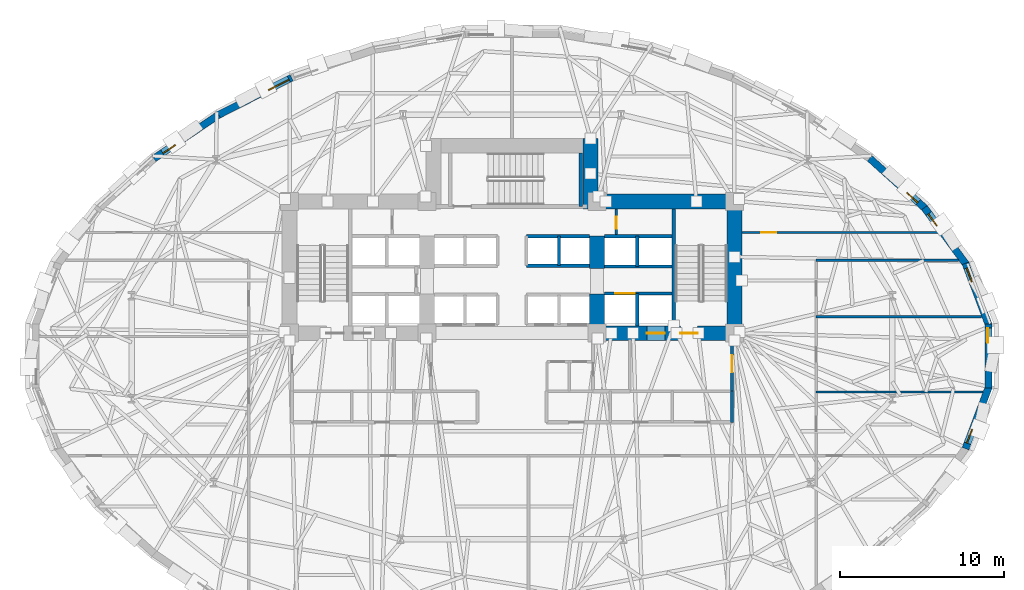
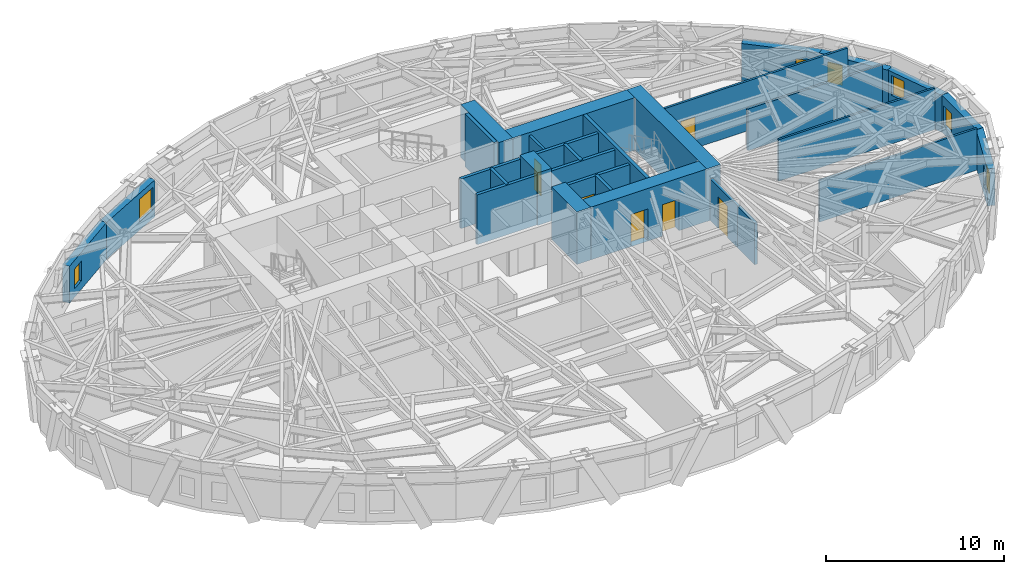
# One storey, part 9 of 14: 30 walls, 7 windows, 6 doors, 13 openings.
"""IFC4 building model written with IfcOpenShell, lengths in metres."""

import ifcopenshell
import ifcopenshell.guid

model = None  # the IFC model being written
_history = None  # IfcOwnerHistory: only IFC2X3 demands one
_inside = {}  # id of a spatial element -> (the spatial element, [elements in it])
_under = {}  # id of a project, library or spatial element -> (it, [spatial elements below it])
_declared = {}  # id of a project -> (the project, [libraries it declares])
_typed = {}  # id of a type object -> (the type object, [elements of that type])
_made_of = {}  # id of a material, layer set ... -> (it, [elements and type objects made of it])


def new_model(schema):
    """Start an empty IFC model of exactly this schema.

    Asked for "IFC4X3", IfcOpenShell would pick the latest addendum, in which some entities
    have other attributes; the version numbers below select the first issue.
    IFC2X3 requires an IfcOwnerHistory on every rooted entity: one is made here for all.
    """
    global model, _history
    if schema == "IFC4X3":
        model = ifcopenshell.file(schema_version=(4, 3, 0, 0))
    else:
        model = ifcopenshell.file(schema=schema)
    _inside.clear()
    _under.clear()
    _declared.clear()
    _typed.clear()
    _made_of.clear()
    _history = None
    if model.schema == "IFC2X3":
        org = make("IfcOrganization", Name="unknown")
        user = make(
            "IfcPersonAndOrganization",
            ThePerson=make("IfcPerson", FamilyName="unknown"),
            TheOrganization=org,
        )
        app = make(
            "IfcApplication",
            ApplicationDeveloper=org,
            Version="unknown",
            ApplicationFullName="unknown",
            ApplicationIdentifier="unknown",
        )
        _history = make(
            "IfcOwnerHistory",
            OwningUser=user,
            OwningApplication=app,
            ChangeAction="ADDED",
            CreationDate=0,
        )
    return model


def make(cls, **values):
    """One entity of the class cls with the attributes given. An attribute that is None is left unset."""
    return model.create_entity(
        cls, **{name: value for name, value in values.items() if value is not None}
    )


def rooted(cls, **values):
    """An entity with a GlobalId (a new one), such as an element, a storey or a relation."""
    return make(cls, GlobalId=ifcopenshell.guid.new(), OwnerHistory=_history, **values)


def si_unit(unit_type, name, prefix=None):
    """IfcSIUnit, for example si_unit("LENGTHUNIT", "METRE", prefix="MILLI")."""
    return make("IfcSIUnit", UnitType=unit_type, Prefix=prefix, Name=name)


def assignment(units):
    """IfcUnitAssignment: the units of a project."""
    return None if units is None else make("IfcUnitAssignment", Units=units)


def point(xyz):
    """IfcCartesianPoint."""
    return None if xyz is None else make("IfcCartesianPoint", Coordinates=xyz)


def direction(xyz):
    """IfcDirection."""
    return None if xyz is None else make("IfcDirection", DirectionRatios=xyz)


def frame(location, z_axis=None, x_axis=None):
    """IfcAxis2Placement3D, a coordinate frame: its origin and axes. An axis left out is left unset."""
    return make(
        "IfcAxis2Placement3D",
        Location=point(location),
        Axis=direction(z_axis),
        RefDirection=direction(x_axis),
    )


def frame_2d(location, x_axis=None):
    """IfcAxis2Placement2D, a coordinate frame in the plane: its origin and x axis."""
    return make(
        "IfcAxis2Placement2D", Location=point(location), RefDirection=direction(x_axis)
    )


def origin():
    """The frame at (0, 0, 0) with its axes left unset."""
    return frame((0.0, 0.0, 0.0))


def place(relative_to, where):
    """IfcLocalPlacement: puts the frame where relative to a parent placement (None: the world)."""
    return make(
        "IfcLocalPlacement", PlacementRelTo=relative_to, RelativePlacement=where
    )


def context(
    kind, dimensions, precision=None, world=None, true_north=None, identifier=None
):
    """IfcGeometricRepresentationContext, for example the 3D "Model" context."""
    return make(
        "IfcGeometricRepresentationContext",
        ContextIdentifier=identifier,
        ContextType=kind,
        CoordinateSpaceDimension=dimensions,
        Precision=precision,
        WorldCoordinateSystem=world,
        TrueNorth=true_north,
    )


def subcontext(parent, identifier, kind, view, scale=None):
    """IfcGeometricRepresentationSubContext, for example "Body" below "Model"."""
    return make(
        "IfcGeometricRepresentationSubContext",
        ContextIdentifier=identifier,
        ContextType=kind,
        ParentContext=parent,
        TargetScale=scale,
        TargetView=view,
    )


def project(units=None, contexts=None):
    """IfcProject with its units and contexts."""
    return rooted(
        "IfcProject",
        Name="project",
        RepresentationContexts=contexts,
        UnitsInContext=assignment(units),
    )


def spatial(cls, under=None, at=None, **own):
    """A site, building, storey or space (cls), placed at a placement, below another one or the project."""
    s = rooted(cls, ObjectPlacement=at, **own)
    if under is not None:
        _under.setdefault(under.id(), (under, []))[1].append(s)
    return s


def profile(cls, at=None, kind="AREA", **sizes):
    """A parametric profile (cls). Its sizes go by their IFC names, for example OverallWidth=200.0."""
    return make(cls, ProfileType=kind, Position=at, **sizes)


def rectangle(**sizes):
    """IfcRectangleProfileDef."""
    return profile("IfcRectangleProfileDef", **sizes)


def extrude(swept, where, along, depth):
    """IfcExtrudedAreaSolid: the profile swept, set in the frame where, extruded along a direction by depth."""
    return make(
        "IfcExtrudedAreaSolid",
        SweptArea=swept,
        Position=where,
        ExtrudedDirection=direction(along),
        Depth=depth,
    )


def shape(context_of_items, identifier, shape_type, items):
    """IfcShapeRepresentation: the items that make up one representation, for example the "Body"."""
    return make(
        "IfcShapeRepresentation",
        ContextOfItems=context_of_items,
        RepresentationIdentifier=identifier,
        RepresentationType=shape_type,
        Items=items,
    )


def material(Name=None, Category=None):
    """IfcMaterial."""
    return make("IfcMaterial", Name=Name, Category=Category)


def layer(
    of_material, thickness, ventilated=None, Name=None, Category=None, Priority=None
):
    """IfcMaterialLayer: one layer of a wall or slab, of a material (None: an air gap)."""
    return make(
        "IfcMaterialLayer",
        Material=of_material,
        LayerThickness=thickness,
        IsVentilated=ventilated,
        Name=Name,
        Category=Category,
        Priority=Priority,
    )


def layer_set(layers, Name=None):
    """IfcMaterialLayerSet."""
    return make("IfcMaterialLayerSet", MaterialLayers=layers, LayerSetName=Name)


def made_of(thing, what):
    """Note that an element or type object is made of a material, layer set ...; save() writes the relation."""
    if what is not None:
        _made_of.setdefault(what.id(), (what, []))[1].append(thing)
    return thing


def type_object(cls, material=None, **own):
    """A type object (cls), such as IfcWallType, which elements share."""
    return made_of(rooted(cls, **own), material)


def element(
    cls,
    number,
    at=None,
    inside=None,
    cuts=None,
    type_object=None,
    material=None,
    context=None,
    identifier="Body",
    shape_type=None,
    held_by="IfcProductDefinitionShape",
    body=None,
    shapes=None,
    **own,
):
    """One element of the class cls, such as IfcWall. Its Tag is "e" and its number.

    at: its placement. inside: the storey or other place that contains it. cuts: it is an
    opening in that element (IfcRelVoidsElement). A single representation is given by context,
    identifier, shape_type and body (its items); several are given by shapes. held_by: the class
    of the entity that holds the representations. save() writes the other relations.
    """
    e = rooted(cls, Tag="e%d" % number, ObjectPlacement=at, **own)
    if body is not None:
        shapes = [shape(context, identifier, shape_type, body)]
    if shapes is not None:
        e.Representation = make(held_by, Representations=shapes)
    if inside is not None:
        _inside.setdefault(inside.id(), (inside, []))[1].append(e)
    if cuts is not None:
        rooted(
            "IfcRelVoidsElement", RelatingBuildingElement=cuts, RelatedOpeningElement=e
        )
    if type_object is not None:
        _typed.setdefault(type_object.id(), (type_object, []))[1].append(e)
    return made_of(e, material)


def fill(opening, filler):
    """IfcRelFillsElement: the door or window that sits in an opening."""
    return rooted(
        "IfcRelFillsElement",
        RelatingOpeningElement=opening,
        RelatedBuildingElement=filler,
    )


def aggregate(whole, parts):
    """IfcRelAggregates: a whole, such as a stair, and the parts it consists of."""
    return rooted("IfcRelAggregates", RelatingObject=whole, RelatedObjects=parts)


def save(model, path):
    """Write the relations noted so far, then the file.

    IfcRelAggregates (storeys below a building ...), IfcRelContainedInSpatialStructure (elements
    in a storey), IfcRelDefinesByType, IfcRelAssociatesMaterial and IfcRelDeclares: one each for
    every whole, place, type object, material and project.
    """
    for whole, parts in _under.values():
        aggregate(whole, parts)
    for where, things in _inside.values():
        rooted(
            "IfcRelContainedInSpatialStructure",
            RelatedElements=things,
            RelatingStructure=where,
        )
    for kind, things in _typed.values():
        rooted("IfcRelDefinesByType", RelatedObjects=things, RelatingType=kind)
    for what, things in _made_of.values():
        rooted("IfcRelAssociatesMaterial", RelatedObjects=things, RelatingMaterial=what)
    for by, libraries in _declared.values():
        rooted("IfcRelDeclares", RelatingContext=by, RelatedDefinitions=libraries)
    model.write(path)


model = new_model("IFC4")

# Units and contexts
model_context = context("Model", 3, precision=1e-05, world=origin(), true_north=direction((0.0, 1.0)))
body_context = subcontext(model_context, "Body", "Model", "MODEL_VIEW")
ifc_project = project(units=[si_unit("LENGTHUNIT", "METRE"), si_unit("AREAUNIT", "SQUARE_METRE"), si_unit("VOLUMEUNIT", "CUBIC_METRE"), si_unit("PLANEANGLEUNIT", "RADIAN"), si_unit("MASSUNIT", "GRAM", prefix="KILO")], contexts=[model_context])

# Site, building, storey
site_placement = place(None, origin())
site = spatial("IfcSite", under=ifc_project, at=site_placement, CompositionType="ELEMENT")
building_placement = place(site_placement, origin())
building = spatial("IfcBuilding", under=site, at=building_placement, Name="Keldmark Tower", CompositionType="ELEMENT")
storey_placement = place(building_placement, frame((0.0, 0.0, 63.0)))
storey = spatial("IfcBuildingStorey", under=building, at=storey_placement, Name="L16", CompositionType="ELEMENT", Elevation=63.0)

# Wall, opening, door
ifc_material_1 = material(Name="Acoustic Double-Layer Gypsum Corridor Partition", Category="gypsum")
ifc_layer_1 = layer(ifc_material_1, 0.139892578125)
ifc_layer_set_1 = layer_set([ifc_layer_1], Name="Acoustic Double-Layer Gypsum Corridor Partition")
wall_type_1 = type_object("IfcWallType", Name="Acoustic Corridor Partition 140 mm", PredefinedType="PARTITIONING", material=ifc_layer_set_1)
wall_1_placement = place(storey_placement, frame((14.050048828125, 7.550048828125, 0.0), z_axis=(0.0, 0.0, 1.0), x_axis=(1.0, 0.0, 0.0)))
wall_1 = element("IfcWall", 1, at=wall_1_placement, inside=storey, type_object=wall_type_1, Name="L16 Acoustic Corridor Partition 140 mm COR-EN-CAP", PredefinedType="PARTITIONING", context=body_context, shape_type="SweptSolid", body=[
    extrude(rectangle(XDim=12.001708984375, YDim=0.139892578125, at=frame_2d((6.0009765625, 0.0))), origin(), (0.0, 0.0, 1.0), 3.39990234375),
])
opening_1_placement = place(wall_1_placement, frame((1.199951171875, 0.0, 0.0)))
opening_1 = element("IfcOpeningElement", 2, at=opening_1_placement, cuts=wall_1, Name="Opening D-EX092", PredefinedType="OPENING", context=body_context, shape_type="SweptSolid", body=[
    extrude(rectangle(XDim=0.919921875, YDim=2.14990234375, at=frame_2d((0.4599609375, 1.074951171875))), frame((0.0, 0.079833984375, 0.0), z_axis=(0.0, -1.0, 0.0), x_axis=(1.0, 0.0, 0.0)), (0.0, 0.0, 1.0), 0.159912109375),
])
ifc_material_2 = material(Name="Flush American Ash Executive Office Door", Category="wood")
door_type_1 = type_object("IfcDoorType", Name="Executive Office Door 920x2150", OperationType="NOTDEFINED", PredefinedType="DOOR", material=ifc_material_2)
door_1_placement = place(opening_1_placement, origin())
door_1 = element("IfcDoor", 3, at=door_1_placement, inside=storey, type_object=door_type_1, Name="L16 Executive Office Door 920x2150 D-NRNE-L16", OperationType="SINGLE_SWING_RIGHT", OverallHeight=2.14990234375, OverallWidth=0.919921875, PredefinedType="DOOR", context=body_context, shape_type="SweptSolid", body=[
    extrude(rectangle(XDim=0.919921875, YDim=2.14990234375, at=frame_2d((0.4599609375, 1.074951171875))), frame((0.0, 0.02490234375, 0.0), z_axis=(0.0, -1.0, 0.0), x_axis=(1.0, 0.0, 0.0)), (0.0, 0.0, 1.0), 0.050048828125),
])
fill(opening_1, door_1)

# Walls
wall_2_placement = place(storey_placement, frame((18.60009765625, 5.85009765625, 0.0), z_axis=(0.0, 0.0, 1.0), x_axis=(1.0, 0.0, 0.0)))
element("IfcWall", 4, at=wall_2_placement, inside=storey, type_object=wall_type_1, Name="L16 Acoustic Corridor Partition 140 mm COR-EA-S", PredefinedType="PARTITIONING", context=body_context, shape_type="SweptSolid", body=[
    extrude(rectangle(XDim=8.701171875, YDim=0.139892578125, at=frame_2d((4.3505859375, 0.0))), origin(), (0.0, 0.0, 1.0), 2.85302734375),
])
ifc_material_3 = material(Name="Heavy Acoustic Plumbing Chase Gypsum Assembly", Category="gypsum")
ifc_layer_2 = layer(ifc_material_3, 0.18994140625)
ifc_layer_set_2 = layer_set([ifc_layer_2], Name="Heavy Acoustic Plumbing Chase Gypsum Assembly")
wall_type_2 = type_object("IfcWallType", Name="Heavy Wet Wall 190 mm", PredefinedType="PLUMBINGWALL", material=ifc_layer_set_2)
wall_3_placement = place(storey_placement, frame((13.449951171875, -4.050048828125, 0.0), z_axis=(0.0, 0.0, 1.0), x_axis=(0.0, 1.0, 0.0)))
element("IfcWall", 5, at=wall_3_placement, inside=storey, type_object=wall_type_2, Name="L16 Heavy Wet Wall 190 mm SPK-E-E", PredefinedType="PLUMBINGWALL", context=body_context, shape_type="SweptSolid", body=[
    extrude(rectangle(XDim=1.900146484375, YDim=0.18994140625, at=frame_2d((0.9501953125, 0.0))), origin(), (0.0, 0.0, 1.0), 2.85302734375),
])
ifc_material_4 = material(Name="Acoustic Gypsum Board Interior Partition", Category="gypsum")
ifc_layer_3 = layer(ifc_material_4, 0.1298828125)
ifc_layer_set_3 = layer_set([ifc_layer_3], Name="Acoustic Gypsum Board Interior Partition")
wall_type_3 = type_object("IfcWallType", Name="Interior Partition 130 mm", PredefinedType="PARTITIONING", material=ifc_layer_set_3)
wall_4_placement = place(storey_placement, frame((18.60009765625, -2.199951171875, 0.0), z_axis=(0.0, 0.0, 1.0), x_axis=(1.0, 0.0, 0.0)))
element("IfcWall", 6, at=wall_4_placement, inside=storey, type_object=wall_type_3, Name="L16 Interior Partition 130 mm E-DIV-1", PredefinedType="PARTITIONING", context=body_context, shape_type="SweptSolid", body=[
    extrude(rectangle(XDim=10.192138671875, YDim=0.1298828125, at=frame_2d((5.09619140625, 0.0))), origin(), (0.0, 0.0, 1.0), 2.841064453125),
])
wall_5_placement = place(storey_placement, frame((18.60009765625, 2.39990234375, 0.0), z_axis=(0.0, 0.0, 1.0), x_axis=(1.0, 0.0, 0.0)))
element("IfcWall", 7, at=wall_5_placement, inside=storey, type_object=wall_type_3, Name="L16 Interior Partition 130 mm E-DIV-2", PredefinedType="PARTITIONING", context=body_context, shape_type="SweptSolid", body=[
    extrude(rectangle(XDim=10.11669921875, YDim=0.1298828125, at=frame_2d((5.058349609375, 0.0))), origin(), (0.0, 0.0, 1.0), 2.841064453125),
])
ifc_material_5 = material(Name="Concrete C70/85", Category="concrete")
ifc_layer_4 = layer(ifc_material_5, 0.89990234375)
ifc_layer_set_4 = layer_set([ifc_layer_4], Name="Concrete C70/85")
wall_type_4 = type_object("IfcWallType", Name="Lower Core Shear Wall 900 mm", PredefinedType="SHEAR", material=ifc_layer_set_4)
wall_6_placement = place(storey_placement, frame((13.60009765625, 0.949951171875, 0.0), z_axis=(0.0, 0.0, 1.0), x_axis=(0.0, 1.0, 0.0)))
element("IfcWall", 8, at=wall_6_placement, inside=storey, type_object=wall_type_4, Name="L16 East Core Outer Shear Wall", PredefinedType="SHEAR", context=body_context, shape_type="SweptSolid", body=[
    extrude(rectangle(XDim=8.949951171875, YDim=0.89990234375, at=frame_2d((4.47509765625, 0.0))), origin(), (0.0, 0.0, 1.0), 3.60009765625),
])
wall_7_placement = place(storey_placement, frame((4.35009765625, 9.449951171875, 0.0), z_axis=(0.0, 0.0, 1.0), x_axis=(1.0, 0.0, 0.0)))
element("IfcWall", 9, at=wall_7_placement, inside=storey, type_object=wall_type_4, Name="L16 East Core North Shear Wall", PredefinedType="SHEAR", context=body_context, shape_type="SweptSolid", body=[
    extrude(rectangle(XDim=9.699951171875, YDim=0.89990234375, at=frame_2d((4.85009765625, 0.0))), origin(), (0.0, 0.0, 1.0), 3.60009765625),
])

# Wall, openings, doors
wall_8_placement = place(storey_placement, frame((14.050048828125, 1.39990234375, 0.0), z_axis=(0.0, 0.0, 1.0), x_axis=(-1.0, 0.0, 0.0)))
wall_8 = element("IfcWall", 10, at=wall_8_placement, inside=storey, type_object=wall_type_4, Name="L16 East Core South Shear Wall", PredefinedType="SHEAR", context=body_context, shape_type="SweptSolid", body=[
    extrude(rectangle(XDim=9.300048828125, YDim=0.89990234375, at=frame_2d((4.64990234375, 0.0))), origin(), (0.0, 0.0, 1.0), 3.60009765625),
])
opening_2_placement = place(wall_8_placement, frame((2.699951171875, 0.0, 0.0)))
opening_2 = element("IfcOpeningElement", 11, at=opening_2_placement, cuts=wall_8, Name="Opening D-ST105", PredefinedType="OPENING", context=body_context, shape_type="SweptSolid", body=[
    extrude(rectangle(XDim=1.050048828125, YDim=2.14990234375, at=frame_2d((0.52490234375, 1.074951171875))), frame((0.0, 0.4599609375, 0.0), z_axis=(0.0, -1.0, 0.0), x_axis=(1.0, 0.0, 0.0)), (0.0, 0.0, 1.0), 0.919921875),
])
opening_3_placement = place(wall_8_placement, frame((4.699951171875, 0.0, 0.0)))
opening_3 = element("IfcOpeningElement", 12, at=opening_3_placement, cuts=wall_8, Name="Opening LD-110", PredefinedType="OPENING", context=body_context, shape_type="SweptSolid", body=[
    extrude(rectangle(XDim=1.10009765625, YDim=2.199951171875, at=frame_2d((0.550048828125, 1.10009765625))), frame((0.0, 0.4599609375, 0.0), z_axis=(0.0, -1.0, 0.0), x_axis=(1.0, 0.0, 0.0)), (0.0, 0.0, 1.0), 0.919921875),
])
ifc_material_6 = material(Name="Brushed Bronze Hoistway Sliding Leaf", Category="metal")
door_type_2 = type_object("IfcDoorType", Name="Lift Landing Sliding Door 1100x2200", OperationType="SLIDING_TO_LEFT", PredefinedType="DOOR", material=ifc_material_6)
door_2_placement = place(opening_3_placement, origin())
door_2 = element("IfcDoor", 13, at=door_2_placement, inside=storey, type_object=door_type_2, Name="L16 Lift Landing Sliding Door 1100x2200 LD-EL-FS2-L16", OperationType="SLIDING_TO_LEFT", OverallHeight=2.199951171875, OverallWidth=1.10009765625, PredefinedType="DOOR", context=body_context, shape_type="SweptSolid", body=[
    extrude(rectangle(XDim=1.10009765625, YDim=2.199951171875, at=frame_2d((0.550048828125, 1.10009765625))), frame((0.0, 0.02490234375, 0.0), z_axis=(0.0, -1.0, 0.0), x_axis=(1.0, 0.0, 0.0)), (0.0, 0.0, 1.0), 0.050048828125),
])
fill(opening_3, door_2)
ifc_material_7 = material(Name="Hollow Metal Fire-Rated Door Assembly", Category="metal")
door_type_3 = type_object("IfcDoorType", Name="Stair Fire Door 1050x2150", OperationType="NOTDEFINED", PredefinedType="DOOR", material=ifc_material_7)
door_3_placement = place(opening_2_placement, origin())
door_3 = element("IfcDoor", 14, at=door_3_placement, inside=storey, type_object=door_type_3, Name="L16 Stair Fire Door 1050x2150 D-ST2-L16", OperationType="SINGLE_SWING_LEFT", OverallHeight=2.14990234375, OverallWidth=1.050048828125, PredefinedType="DOOR", context=body_context, shape_type="SweptSolid", body=[
    extrude(rectangle(XDim=1.050048828125, YDim=2.14990234375, at=frame_2d((0.52490234375, 1.074951171875))), frame((0.0, 0.02490234375, 0.0), z_axis=(0.0, -1.0, 0.0), x_axis=(1.0, 0.0, 0.0)), (0.0, 0.0, 1.0), 0.050048828125),
])
fill(opening_2, door_3)

# Walls
wall_9_placement = place(storey_placement, frame((5.199951171875, 0.949951171875, 0.0), z_axis=(0.0, 0.0, 1.0), x_axis=(0.0, 1.0, 0.0)))
element("IfcWall", 15, at=wall_9_placement, inside=storey, type_object=wall_type_4, Name="L16 East Core Inner Shear Pier South", PredefinedType="SHEAR", context=body_context, shape_type="SweptSolid", body=[
    extrude(rectangle(XDim=2.85009765625, YDim=0.89990234375, at=frame_2d((1.425048828125, 0.0))), origin(), (0.0, 0.0, 1.0), 3.60009765625),
])
wall_10_placement = place(storey_placement, frame((5.199951171875, 5.35009765625, 0.0), z_axis=(0.0, 0.0, 1.0), x_axis=(0.0, 1.0, 0.0)))
element("IfcWall", 16, at=wall_10_placement, inside=storey, type_object=wall_type_4, Name="L16 East Core Inner Shear Pier North", PredefinedType="SHEAR", context=body_context, shape_type="SweptSolid", body=[
    extrude(rectangle(XDim=2.0, YDim=0.89990234375, at=frame_2d((1.0, 0.0))), origin(), (0.0, 0.0, 1.0), 3.60009765625),
])
wall_11_placement = place(storey_placement, frame((4.800048828125, 9.0, 0.0), z_axis=(0.0, 0.0, 1.0), x_axis=(0.0, 1.0, 0.0)))
element("IfcWall", 17, at=wall_11_placement, inside=storey, type_object=wall_type_4, Name="L16 North Core East Shear Wall", PredefinedType="SHEAR", context=body_context, shape_type="SweptSolid", body=[
    extrude(rectangle(XDim=4.300048828125, YDim=0.89990234375, at=frame_2d((2.14990234375, 0.0))), origin(), (0.0, 0.0, 1.0), 3.60009765625),
])

# Wall, opening, door
ifc_material_8 = material(Name="Type X Fire-Rated Gypsum Partition Assembly", Category="gypsum")
ifc_layer_5 = layer(ifc_material_8, 0.1650390625)
ifc_layer_set_5 = layer_set([ifc_layer_5], Name="Type X Fire-Rated Gypsum Partition Assembly")
wall_type_5 = type_object("IfcWallType", Name="Rated Partition 165 mm", PredefinedType="PARTITIONING", material=ifc_layer_set_5)
wall_12_placement = place(storey_placement, frame((13.449951171875, -2.14990234375, 0.0), z_axis=(0.0, 0.0, 1.0), x_axis=(0.0, 1.0, 0.0)))
wall_12 = element("IfcWall", 18, at=wall_12_placement, inside=storey, type_object=wall_type_5, Name="L16 Rated Partition 165 mm FSAE-E-E", PredefinedType="PARTITIONING", context=body_context, shape_type="SweptSolid", body=[
    extrude(rectangle(XDim=3.14990234375, YDim=0.1650390625, at=frame_2d((1.574951171875, 0.0))), origin(), (0.0, 0.0, 1.0), 2.85302734375),
])
opening_4_placement = place(wall_12_placement, frame((1.14990234375, 0.0, 0.0)))
opening_4 = element("IfcOpeningElement", 19, at=opening_4_placement, cuts=wall_12, Name="Opening D-FL105", PredefinedType="OPENING", context=body_context, shape_type="SweptSolid", body=[
    extrude(rectangle(XDim=1.050048828125, YDim=2.14990234375, at=frame_2d((0.52490234375, 1.074951171875))), frame((0.0, 0.092529296875, 0.0), z_axis=(0.0, -1.0, 0.0), x_axis=(1.0, 0.0, 0.0)), (0.0, 0.0, 1.0), 0.18505859375),
])
ifc_material_9 = material(Name="Fire-Rated Mineral-Core Door and Vision Lite", Category="metal")
door_type_4 = type_object("IfcDoorType", Name="Fire Lobby Door 1050x2150", OperationType="NOTDEFINED", PredefinedType="DOOR", material=ifc_material_9)
door_4_placement = place(opening_4_placement, origin())
door_4 = element("IfcDoor", 20, at=door_4_placement, inside=storey, type_object=door_type_4, Name="L16 Fire Lobby Door 1050x2150 D-FSAEE-OUT-L16", OperationType="SINGLE_SWING_LEFT", OverallHeight=2.14990234375, OverallWidth=1.050048828125, PredefinedType="DOOR", context=body_context, shape_type="SweptSolid", body=[
    extrude(rectangle(XDim=1.050048828125, YDim=2.14990234375, at=frame_2d((0.52490234375, 1.074951171875))), frame((0.0, 0.02490234375, 0.0), z_axis=(0.0, -1.0, 0.0), x_axis=(1.0, 0.0, 0.0)), (0.0, 0.0, 1.0), 0.050048828125),
])
fill(opening_4, door_4)

wall_13_placement = place(storey_placement, frame((6.3798828125, 7.419921875, 0.0), z_axis=(0.0, 0.0, 1.0), x_axis=(0.0, 1.0, 0.0)))
wall_13 = element("IfcWall", 21, at=wall_13_placement, inside=storey, type_object=wall_type_5, Name="L16 Rated Partition 165 mm CS-NE-W", PredefinedType="PARTITIONING", context=body_context, shape_type="SweptSolid", body=[
    extrude(rectangle(XDim=1.580078125, YDim=0.1650390625, at=frame_2d((0.7900390625, 0.0))), origin(), (0.0, 0.0, 1.0), 3.39990234375),
])
opening_5_placement = place(wall_13_placement, frame((0.35009765625, 0.0, 0.0)))
opening_5 = element("IfcOpeningElement", 22, at=opening_5_placement, cuts=wall_13, Name="Opening D-RS075", PredefinedType="OPENING", context=body_context, shape_type="SweptSolid", body=[
    extrude(rectangle(XDim=0.75, YDim=2.10009765625, at=frame_2d((0.375, 1.050048828125))), frame((0.0, 0.092529296875, 0.0), z_axis=(0.0, -1.0, 0.0), x_axis=(1.0, 0.0, 0.0)), (0.0, 0.0, 1.0), 0.18505859375),
])
ifc_material_10 = material(Name="Galvanized Fire-Rated Access Leaf", Category="metal")
door_type_5 = type_object("IfcDoorType", Name="Riser Access Door 750x2100", OperationType="NOTDEFINED", PredefinedType="DOOR", material=ifc_material_10)
door_5_placement = place(opening_5_placement, origin())
door_5 = element("IfcDoor", 23, at=door_5_placement, inside=storey, type_object=door_type_5, Name="L16 Riser Access Door 750x2100 D-CSNE1-L16", OperationType="SINGLE_SWING_LEFT", OverallHeight=2.10009765625, OverallWidth=0.75, PredefinedType="DOOR", context=body_context, shape_type="SweptSolid", body=[
    extrude(rectangle(XDim=0.75, YDim=2.10009765625, at=frame_2d((0.375, 1.050048828125))), frame((0.0, 0.02490234375, 0.0), z_axis=(0.0, -1.0, 0.0), x_axis=(1.0, 0.0, 0.0)), (0.0, 0.0, 1.0), 0.050048828125),
])
fill(opening_5, door_5)

ifc_material_11 = material(Name="Fire-Resistant Type X Gypsum Shaftliner Coreboard", Category="gypsum")
ifc_layer_6 = layer(ifc_material_11, 0.199951171875)
ifc_layer_set_6 = layer_set([ifc_layer_6], Name="Fire-Resistant Type X Gypsum Shaftliner Coreboard")
wall_type_6 = type_object("IfcWallType", Name="Shaft Wall 200 mm", PredefinedType="SOLIDWALL", material=ifc_layer_set_6)
wall_14_placement = place(storey_placement, frame((5.64990234375, 3.820068359375, 0.0), z_axis=(0.0, 0.0, 1.0), x_axis=(1.0, 0.0, 0.0)))
wall_14 = element("IfcWall", 24, at=wall_14_placement, inside=storey, type_object=wall_type_6, Name="L16 Shaft Wall 200 mm HW-E-S", PredefinedType="SOLIDWALL", context=body_context, shape_type="SweptSolid", body=[
    extrude(rectangle(XDim=4.130126953125, YDim=0.199951171875, at=frame_2d((2.06494140625, 0.0))), origin(), (0.0, 0.0, 1.0), 3.39990234375),
])
opening_6_placement = place(wall_14_placement, frame((0.64990234375, 0.0, 0.0)))
opening_6 = element("IfcOpeningElement", 25, at=opening_6_placement, cuts=wall_14, Name="Opening LD-120", PredefinedType="OPENING", context=body_context, shape_type="SweptSolid", body=[
    extrude(rectangle(XDim=1.199951171875, YDim=2.199951171875, at=frame_2d((0.60009765625, 1.10009765625))), frame((0.0, 0.10986328125, 0.0), z_axis=(0.0, -1.0, 0.0), x_axis=(1.0, 0.0, 0.0)), (0.0, 0.0, 1.0), 0.219970703125),
])
ifc_material_12 = material(Name="Heavy-Duty Brushed Metal Hoistway Sliding Leaf", Category="metal")
door_type_6 = type_object("IfcDoorType", Name="Service Lift Sliding Door 1200x2200", OperationType="SLIDING_TO_RIGHT", PredefinedType="DOOR", material=ifc_material_12)
door_6_placement = place(opening_6_placement, origin())
door_6 = element("IfcDoor", 26, at=door_6_placement, inside=storey, type_object=door_type_6, Name="L16 Service Lift Sliding Door 1200x2200 LD-EL-SV1-L16", OperationType="SLIDING_TO_RIGHT", OverallHeight=2.199951171875, OverallWidth=1.199951171875, PredefinedType="DOOR", context=body_context, shape_type="SweptSolid", body=[
    extrude(rectangle(XDim=1.199951171875, YDim=2.199951171875, at=frame_2d((0.60009765625, 1.10009765625))), frame((0.0, 0.02490234375, 0.0), z_axis=(0.0, -1.0, 0.0), x_axis=(1.0, 0.0, 0.0)), (0.0, 0.0, 1.0), 0.050048828125),
])
fill(opening_6, door_6)

# Walls
wall_15_placement = place(storey_placement, frame((7.64990234375, 1.85009765625, 0.0), z_axis=(0.0, 0.0, 1.0), x_axis=(0.0, 1.0, 0.0)))
element("IfcWall", 27, at=wall_15_placement, inside=storey, type_object=wall_type_6, Name="L16 Shaft Wall 200 mm HW-E-M", PredefinedType="SOLIDWALL", context=body_context, shape_type="SweptSolid", body=[
    extrude(rectangle(XDim=1.969970703125, YDim=0.199951171875, at=frame_2d((0.98486328125, 0.0))), origin(), (0.0, 0.0, 1.0), 3.39990234375),
])
for number, where, z_axis, x_axis, name in (
    (28, (5.64990234375, 5.469970703125, 0.0), (0.0, 0.0, 1.0), (1.0, 0.0, 0.0), "L16 Shaft Wall 200 mm HW-E-N"),
    (29, (5.64990234375, 7.330078125, 0.0), (0.0, 0.0, 1.0), (1.0, 0.0, 0.0), "L16 Shaft Wall 200 mm HW-E-TOP"),
):
    element("IfcWall", number, at=place(storey_placement, frame(where, z_axis=z_axis, x_axis=x_axis)), inside=storey, type_object=wall_type_6, Name=name, PredefinedType="SOLIDWALL", context=body_context, shape_type="SweptSolid", body=[
        extrude(rectangle(XDim=4.130126953125, YDim=0.199951171875, at=frame_2d((2.06494140625, 0.0))), origin(), (0.0, 0.0, 1.0), 3.39990234375),
    ])
wall_16_placement = place(storey_placement, frame((7.64990234375, 5.469970703125, 0.0), z_axis=(0.0, 0.0, 1.0), x_axis=(0.0, 1.0, 0.0)))
element("IfcWall", 30, at=wall_16_placement, inside=storey, type_object=wall_type_6, Name="L16 Shaft Wall 200 mm HW-E-NM", PredefinedType="SOLIDWALL", context=body_context, shape_type="SweptSolid", body=[
    extrude(rectangle(XDim=1.860107421875, YDim=0.199951171875, at=frame_2d((0.93017578125, 0.0))), origin(), (0.0, 0.0, 1.0), 3.39990234375),
])
for number, where, z_axis, x_axis, name in (
    (31, (0.8798828125, 5.52001953125, 0.0), (0.0, 0.0, 1.0), (1.0, 0.0, 0.0), "L16 Shaft Wall 200 mm MID-S-E"),
    (32, (0.8798828125, 7.330078125, 0.0), (0.0, 0.0, 1.0), (1.0, 0.0, 0.0), "L16 Shaft Wall 200 mm MID-N-E"),
):
    element("IfcWall", number, at=place(storey_placement, frame(where, z_axis=z_axis, x_axis=x_axis)), inside=storey, type_object=wall_type_6, Name=name, PredefinedType="SOLIDWALL", context=body_context, shape_type="SweptSolid", body=[
        extrude(rectangle(XDim=3.860107421875, YDim=0.199951171875, at=frame_2d((1.93017578125, 0.0))), origin(), (0.0, 0.0, 1.0), 3.39990234375),
    ])
wall_17_placement = place(storey_placement, frame((2.8798828125, 5.52001953125, 0.0), z_axis=(0.0, 0.0, 1.0), x_axis=(0.0, 1.0, 0.0)))
element("IfcWall", 33, at=wall_17_placement, inside=storey, type_object=wall_type_6, Name="L16 Shaft Wall 200 mm MID-M-E", PredefinedType="SOLIDWALL", context=body_context, shape_type="SweptSolid", body=[
    extrude(rectangle(XDim=1.81005859375, YDim=0.199951171875, at=frame_2d((0.905029296875, 0.0))), origin(), (0.0, 0.0, 1.0), 3.39990234375),
])
ifc_material_13 = material(Name="Concrete C50/60", Category="concrete")
ifc_layer_7 = layer(ifc_material_13, 0.219970703125)
ifc_layer_set_7 = layer_set([ifc_layer_7], Name="Concrete C50/60")
wall_type_7 = type_object("IfcWallType", Name="Stair Core Shear Wall 220 mm", PredefinedType="SHEAR", material=ifc_layer_set_7)
wall_18_placement = place(storey_placement, frame((9.889892578125, 1.85009765625, 0.0), z_axis=(0.0, 0.0, 1.0), x_axis=(0.0, 1.0, 0.0)))
element("IfcWall", 34, at=wall_18_placement, inside=storey, type_object=wall_type_7, Name="L16 East Stair Core Shear Wall", PredefinedType="SHEAR", context=body_context, shape_type="SweptSolid", body=[
    extrude(rectangle(XDim=7.14990234375, YDim=0.219970703125, at=frame_2d((3.574951171875, 0.0))), origin(), (0.0, 0.0, 1.0), 3.60009765625),
])
wall_19_placement = place(storey_placement, frame((4.215087890625, 9.139892578125, 0.0), z_axis=(0.0, 0.0, 1.0), x_axis=(0.0, 1.0, 0.0)))
element("IfcWall", 35, at=wall_19_placement, inside=storey, type_object=wall_type_7, Name="L16 Central Stair Core East Shear Wall", PredefinedType="SHEAR", context=body_context, shape_type="SweptSolid", body=[
    extrude(rectangle(XDim=3.260009765625, YDim=0.219970703125, at=frame_2d((1.6298828125, 0.0))), origin(), (0.0, 0.0, 1.0), 3.60009765625),
])

# Wall, opening, window
ifc_material_14 = material(Name="Ironspot Manganese Brick and Kasota Buff Limestone Spandrel Assembly", Category="masonry")
ifc_layer_8 = layer(ifc_material_14, 0.43994140625)
ifc_layer_set_8 = layer_set([ifc_layer_8], Name="Ironspot Manganese Brick and Kasota Buff Limestone Spandrel Assembly")
wall_type_8 = type_object("IfcWallType", Name="Tower Brick Pier and Spandrel Wall 440 mm", PredefinedType="STANDARD", material=ifc_layer_set_8)
wall_20_placement = place(storey_placement, frame((27.728515625, 5.667724609375, 0.0), z_axis=(0.0, 0.0, 1.0), x_axis=(0.352750180024, -0.935717537771, 0.0)))
wall_20 = element("IfcWall", 36, at=wall_20_placement, inside=storey, type_object=wall_type_8, Name="L16 Exterior Brick and Spandrel Wall 01", PredefinedType="STANDARD", context=body_context, shape_type="SweptSolid", body=[
    extrude(rectangle(XDim=4.044677734375, YDim=0.43994140625, at=frame_2d((2.0224609375, 0.0))), origin(), (0.0, 0.0, 1.0), 2.529052734375),
])
opening_7_placement = place(wall_20_placement, frame((0.2998046875, 0.0, 0.919921875)))
opening_7 = element("IfcOpeningElement", 37, at=opening_7_placement, cuts=wall_20, Name="Opening W-09", PredefinedType="OPENING", context=body_context, shape_type="SweptSolid", body=[
    extrude(rectangle(XDim=0.89990234375, YDim=1.35009765625, at=frame_2d((0.449951171875, 0.675048828125))), frame((0.0, 0.22998046875, 0.0), z_axis=(0.0, -1.0, 0.0), x_axis=(1.0, 0.0, 0.0)), (0.0, 0.0, 1.0), 0.4599609375),
])
ifc_material_15 = material(Name="Thermally Broken Anodized Aluminum and Triple Low-E Argon Glazing", Category="aluminium")
window_type_1 = type_object("IfcWindowType", Name="Corner Pier Deep-Set Window 900x1350", PartitioningType="SINGLE_PANEL", PredefinedType="WINDOW", material=ifc_material_15)
window_1_placement = place(opening_7_placement, origin())
window_1 = element("IfcWindow", 38, at=window_1_placement, inside=storey, type_object=window_type_1, Name="L16 Deep-Set Window 01", OverallHeight=1.35009765625, OverallWidth=0.89990234375, PartitioningType="SINGLE_PANEL", PredefinedType="WINDOW", context=body_context, shape_type="SweptSolid", body=[
    extrude(rectangle(XDim=0.89990234375, YDim=1.35009765625, at=frame_2d((0.449951171875, 0.675048828125))), frame((0.0, -0.010009765625, 0.0), z_axis=(0.0, -1.0, 0.0), x_axis=(1.0, 0.0, 0.0)), (0.0, 0.0, 1.0), 0.06005859375),
])
fill(opening_7, window_1)

wall_21_placement = place(storey_placement, frame((25.2158203125, 9.072265625, 0.0), z_axis=(0.0, 0.0, 1.0), x_axis=(0.592261182237, -0.80574604685, 0.0)))
wall_21 = element("IfcWall", 39, at=wall_21_placement, inside=storey, type_object=wall_type_8, Name="L16 Exterior Brick and Spandrel Wall 02", PredefinedType="STANDARD", context=body_context, shape_type="SweptSolid", body=[
    extrude(rectangle(XDim=4.290771484375, YDim=0.43994140625, at=frame_2d((2.1455078125, 0.0))), origin(), (0.0, 0.0, 1.0), 2.529052734375),
])
opening_8_placement = place(wall_21_placement, frame((0.44921875, 0.0, 0.580078125)))
opening_8 = element("IfcOpeningElement", 40, at=opening_8_placement, cuts=wall_21, Name="Opening W-09", PredefinedType="OPENING", context=body_context, shape_type="SweptSolid", body=[
    extrude(rectangle(XDim=0.89990234375, YDim=1.35009765625, at=frame_2d((0.449951171875, 0.675048828125))), frame((0.0, 0.22998046875, 0.0), z_axis=(0.0, -1.0, 0.0), x_axis=(1.0, 0.0, 0.0)), (0.0, 0.0, 1.0), 0.4599609375),
])
window_2_placement = place(opening_8_placement, origin())
window_2 = element("IfcWindow", 41, at=window_2_placement, inside=storey, type_object=window_type_1, Name="L16 Deep-Set Window 02", OverallHeight=1.35009765625, OverallWidth=0.89990234375, PartitioningType="SINGLE_PANEL", PredefinedType="WINDOW", context=body_context, shape_type="SweptSolid", body=[
    extrude(rectangle(XDim=0.89990234375, YDim=1.35009765625, at=frame_2d((0.449951171875, 0.675048828125))), frame((0.0, -0.010009765625, 0.0), z_axis=(0.0, -1.0, 0.0), x_axis=(1.0, 0.0, 0.0)), (0.0, 0.0, 1.0), 0.06005859375),
])
fill(opening_8, window_2)

wall_22_placement = place(storey_placement, frame((21.86865234375, 12.087158203125, 0.0), z_axis=(0.0, 0.0, 1.0), x_axis=(0.742354052059, -0.670007806963, 0.0)))
wall_22 = element("IfcWall", 42, at=wall_22_placement, inside=storey, type_object=wall_type_8, Name="L16 Exterior Brick and Spandrel Wall 03", PredefinedType="STANDARD", context=body_context, shape_type="SweptSolid", body=[
    extrude(rectangle(XDim=4.549072265625, YDim=0.43994140625, at=frame_2d((2.2744140625, 0.0))), origin(), (0.0, 0.0, 1.0), 2.529052734375),
])
opening_9_placement = place(wall_22_placement, frame((3.09912109375, 0.0, 0.580078125)))
opening_9 = element("IfcOpeningElement", 43, at=opening_9_placement, cuts=wall_22, Name="Opening W-09", PredefinedType="OPENING", context=body_context, shape_type="SweptSolid", body=[
    extrude(rectangle(XDim=0.89990234375, YDim=1.35009765625, at=frame_2d((0.449951171875, 0.675048828125))), frame((0.0, 0.22998046875, 0.0), z_axis=(0.0, -1.0, 0.0), x_axis=(1.0, 0.0, 0.0)), (0.0, 0.0, 1.0), 0.4599609375),
])
window_3_placement = place(opening_9_placement, origin())
window_3 = element("IfcWindow", 44, at=window_3_placement, inside=storey, type_object=window_type_1, Name="L16 Deep-Set Window 03", OverallHeight=1.35009765625, OverallWidth=0.89990234375, PartitioningType="SINGLE_PANEL", PredefinedType="WINDOW", context=body_context, shape_type="SweptSolid", body=[
    extrude(rectangle(XDim=0.89990234375, YDim=1.35009765625, at=frame_2d((0.449951171875, 0.675048828125))), frame((0.0, -0.010009765625, 0.0), z_axis=(0.0, -1.0, 0.0), x_axis=(1.0, 0.0, 0.0)), (0.0, 0.0, 1.0), 0.06005859375),
])
fill(opening_9, window_3)

wall_23_placement = place(storey_placement, frame((-17.96826171875, 14.731201171875, 0.0), z_axis=(0.0, 0.0, 1.0), x_axis=(0.891072734441, 0.45386053137, 0.0)))
wall_23 = element("IfcWall", 45, at=wall_23_placement, inside=storey, type_object=wall_type_8, Name="L16 Exterior Brick and Spandrel Wall 11", PredefinedType="STANDARD", context=body_context, shape_type="SweptSolid", body=[
    extrude(rectangle(XDim=5.044677734375, YDim=0.43994140625, at=frame_2d((2.5224609375, 0.0))), origin(), (0.0, 0.0, 1.0), 2.529052734375),
])
opening_10_placement = place(wall_23_placement, frame((3.444580078125, 0.0, 0.580078125)))
opening_10 = element("IfcOpeningElement", 46, at=opening_10_placement, cuts=wall_23, Name="Opening W-08", PredefinedType="OPENING", context=body_context, shape_type="SweptSolid", body=[
    extrude(rectangle(XDim=1.39990234375, YDim=1.550048828125, at=frame_2d((0.699951171875, 0.77490234375))), frame((0.0, 0.22998046875, 0.0), z_axis=(0.0, -1.0, 0.0), x_axis=(1.0, 0.0, 0.0)), (0.0, 0.0, 1.0), 0.4599609375),
])
ifc_material_16 = material(Name="Thermally Broken Anodized Aluminum and Triple Low-E Argon Glazing", Category="aluminium")
window_type_2 = type_object("IfcWindowType", Name="Residential Corner Punched Window 1400x1550", PartitioningType="SINGLE_PANEL", PredefinedType="WINDOW", material=ifc_material_16)
window_4_placement = place(opening_10_placement, origin())
window_4 = element("IfcWindow", 47, at=window_4_placement, inside=storey, type_object=window_type_2, Name="L16 Deep-Set Window 11", OverallHeight=1.550048828125, OverallWidth=1.39990234375, PartitioningType="SINGLE_PANEL", PredefinedType="WINDOW", context=body_context, shape_type="SweptSolid", body=[
    extrude(rectangle(XDim=1.39990234375, YDim=1.550048828125, at=frame_2d((0.699951171875, 0.77490234375))), frame((0.0, -0.010009765625, 0.0), z_axis=(0.0, -1.0, 0.0), x_axis=(1.0, 0.0, 0.0)), (0.0, 0.0, 1.0), 0.06005859375),
])
fill(opening_10, window_4)

wall_24_placement = place(storey_placement, frame((-21.892578125, 12.068359375, 0.0), z_axis=(0.0, 0.0, 1.0), x_axis=(0.827693991977, 0.561179699959, 0.0)))
wall_24 = element("IfcWall", 48, at=wall_24_placement, inside=storey, type_object=wall_type_8, Name="L16 Exterior Brick and Spandrel Wall 12", PredefinedType="STANDARD", context=body_context, shape_type="SweptSolid", body=[
    extrude(rectangle(XDim=4.769775390625, YDim=0.43994140625, at=frame_2d((2.384765625, 0.0))), origin(), (0.0, 0.0, 1.0), 2.529052734375),
])
opening_11_placement = place(wall_24_placement, frame((0.64599609375, 0.0, 0.580078125)))
opening_11 = element("IfcOpeningElement", 49, at=opening_11_placement, cuts=wall_24, Name="Opening W-09", PredefinedType="OPENING", context=body_context, shape_type="SweptSolid", body=[
    extrude(rectangle(XDim=0.89990234375, YDim=1.35009765625, at=frame_2d((0.449951171875, 0.675048828125))), frame((0.0, 0.22998046875, 0.0), z_axis=(0.0, -1.0, 0.0), x_axis=(1.0, 0.0, 0.0)), (0.0, 0.0, 1.0), 0.4599609375),
])
window_5_placement = place(opening_11_placement, origin())
window_5 = element("IfcWindow", 50, at=window_5_placement, inside=storey, type_object=window_type_1, Name="L16 Deep-Set Window 12", OverallHeight=1.35009765625, OverallWidth=0.89990234375, PartitioningType="SINGLE_PANEL", PredefinedType="WINDOW", context=body_context, shape_type="SweptSolid", body=[
    extrude(rectangle(XDim=0.89990234375, YDim=1.35009765625, at=frame_2d((0.449951171875, 0.675048828125))), frame((0.0, -0.010009765625, 0.0), z_axis=(0.0, -1.0, 0.0), x_axis=(1.0, 0.0, 0.0)), (0.0, 0.0, 1.0), 0.06005859375),
])
fill(opening_11, window_5)

wall_25_placement = place(storey_placement, frame((29.1552734375, -1.883056640625, 0.0), z_axis=(0.0, 0.0, 1.0), x_axis=(-0.352750180024, -0.935717537771, 0.0)))
wall_25 = element("IfcWall", 51, at=wall_25_placement, inside=storey, type_object=wall_type_8, Name="L16 Exterior Brick and Spandrel Wall 31", PredefinedType="STANDARD", context=body_context, shape_type="SweptSolid", body=[
    extrude(rectangle(XDim=4.044677734375, YDim=0.43994140625, at=frame_2d((2.0224609375, 0.0))), origin(), (0.0, 0.0, 1.0), 2.529052734375),
])
opening_12_placement = place(wall_25_placement, frame((2.794921875, 0.0, 0.580078125)))
opening_12 = element("IfcOpeningElement", 52, at=opening_12_placement, cuts=wall_25, Name="Opening W-09", PredefinedType="OPENING", context=body_context, shape_type="SweptSolid", body=[
    extrude(rectangle(XDim=0.89990234375, YDim=1.35009765625, at=frame_2d((0.449951171875, 0.675048828125))), frame((0.0, 0.22998046875, 0.0), z_axis=(0.0, -1.0, 0.0), x_axis=(1.0, 0.0, 0.0)), (0.0, 0.0, 1.0), 0.4599609375),
])
window_6_placement = place(opening_12_placement, origin())
window_6 = element("IfcWindow", 53, at=window_6_placement, inside=storey, type_object=window_type_1, Name="L16 Deep-Set Window 31", OverallHeight=1.35009765625, OverallWidth=0.89990234375, PartitioningType="SINGLE_PANEL", PredefinedType="WINDOW", context=body_context, shape_type="SweptSolid", body=[
    extrude(rectangle(XDim=0.89990234375, YDim=1.35009765625, at=frame_2d((0.449951171875, 0.675048828125))), frame((0.0, -0.010009765625, 0.0), z_axis=(0.0, -1.0, 0.0), x_axis=(1.0, 0.0, 0.0)), (0.0, 0.0, 1.0), 0.06005859375),
])
fill(opening_12, window_6)

wall_26_placement = place(storey_placement, frame((29.14111328125, 1.960693359375, 0.0), z_axis=(0.0, 0.0, 1.0), x_axis=(0.0, -1.0, 0.0)))
wall_26 = element("IfcWall", 54, at=wall_26_placement, inside=storey, type_object=wall_type_8, Name="L16 Exterior Brick and Spandrel Wall 32", PredefinedType="STANDARD", context=body_context, shape_type="SweptSolid", body=[
    extrude(rectangle(XDim=3.92138671875, YDim=0.43994140625, at=frame_2d((1.960693359375, 0.0))), origin(), (0.0, 0.0, 1.0), 2.532958984375),
])
opening_13_placement = place(wall_26_placement, frame((0.24951171875, 0.0, 0.580078125)))
opening_13 = element("IfcOpeningElement", 55, at=opening_13_placement, cuts=wall_26, Name="Opening W-09", PredefinedType="OPENING", context=body_context, shape_type="SweptSolid", body=[
    extrude(rectangle(XDim=0.89990234375, YDim=1.35009765625, at=frame_2d((0.449951171875, 0.675048828125))), frame((0.0, 0.22998046875, 0.0), z_axis=(0.0, -1.0, 0.0), x_axis=(1.0, 0.0, 0.0)), (0.0, 0.0, 1.0), 0.4599609375),
])
window_7_placement = place(opening_13_placement, origin())
window_7 = element("IfcWindow", 56, at=window_7_placement, inside=storey, type_object=window_type_1, Name="L16 Deep-Set Window 32", OverallHeight=1.35009765625, OverallWidth=0.89990234375, PartitioningType="SINGLE_PANEL", PredefinedType="WINDOW", context=body_context, shape_type="SweptSolid", body=[
    extrude(rectangle(XDim=0.89990234375, YDim=1.35009765625, at=frame_2d((0.449951171875, 0.675048828125))), frame((0.0, -0.010009765625, 0.0), z_axis=(0.0, -1.0, 0.0), x_axis=(1.0, 0.0, 0.0)), (0.0, 0.0, 1.0), 0.06005859375),
])
fill(opening_13, window_7)

save(model, "model.ifc")
